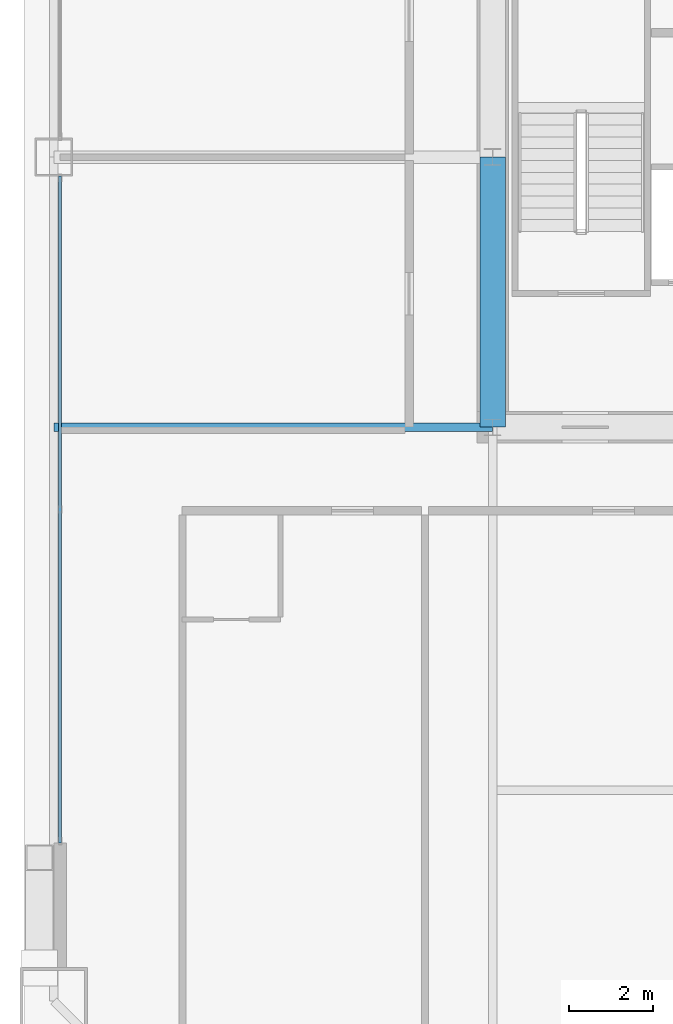
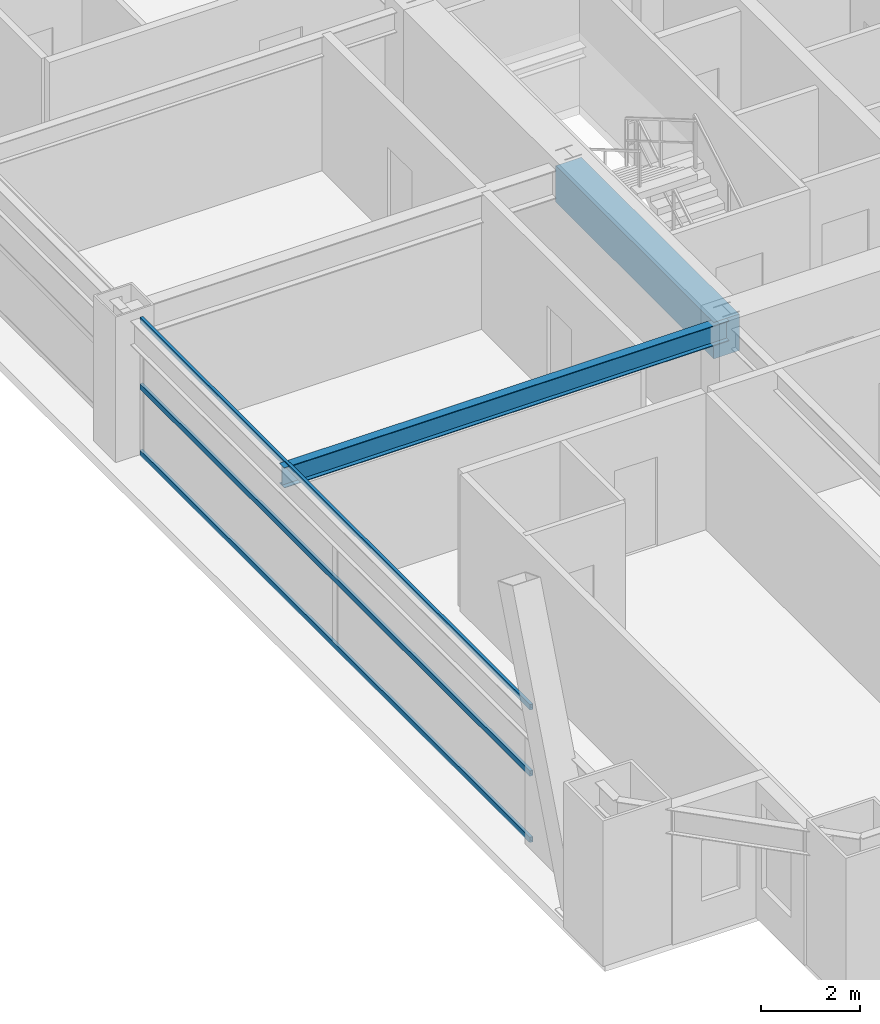
# One storey, part 12 of 41: 3 members, 2 beams, 1 element without a shape of its own.
"""IFC4 building model written with IfcOpenShell, lengths in metres."""

from ifc_helpers import new_model, si_unit, direction, frame, origin, origin_2d, place, context, subcontext, project, spatial, rectangle, hollow_rectangle, i_section, extrude, source, transform, mapped, material, layer, layer_set, material_profile, profile_set, type_object, element, aggregate, save


model = new_model("IFC4")

# Units and contexts
model_context = context("Model", 3, precision=1e-05, world=origin(), true_north=direction((0.0, 1.0)))
body_context = subcontext(model_context, "Body", "Model", "MODEL_VIEW")
ifc_project = project(units=[si_unit("LENGTHUNIT", "METRE"), si_unit("AREAUNIT", "SQUARE_METRE"), si_unit("VOLUMEUNIT", "CUBIC_METRE"), si_unit("PLANEANGLEUNIT", "RADIAN"), si_unit("MASSUNIT", "GRAM", prefix="KILO"), si_unit("THERMODYNAMICTEMPERATUREUNIT", "KELVIN"), si_unit("POWERUNIT", "WATT")], contexts=[model_context])

# Site, building, storey
site_placement = place(None, origin())
site = spatial("IfcSite", under=ifc_project, at=site_placement, CompositionType="ELEMENT")
building_placement = place(site_placement, origin())
building = spatial("IfcBuilding", under=site, at=building_placement, Name="Yuzanri Waterfront Tower", CompositionType="ELEMENT")
storey_placement = place(building_placement, frame((0.0, 0.0, 152.39990234375)))
storey = spatial("IfcBuildingStorey", under=building, at=storey_placement, Name="L40", CompositionType="ELEMENT", Elevation=152.39990234375)

# Beams
ifc_material_1 = material(Name="Concrete C60", Category="concrete")
ifc_material_profile_1 = material_profile(ifc_material_1, rectangle(XDim=0.60009765625, YDim=0.89990234375, at=origin_2d()), Name="RC 600x900")
ifc_profile_set_1 = profile_set([ifc_material_profile_1], Name="Concrete C60")
beam_type_1 = type_object("IfcBeamType", Name="Core Coupling Lintel Concrete C60 600x900", PredefinedType="LINTEL", material=ifc_profile_set_1)
shared_shape_1 = source(origin(), body_context, "Body", "SweptSolid", [
    extrude(rectangle(XDim=0.60009765625, YDim=0.89990234375, at=origin_2d()), origin(), (0.0, 0.0, 1.0), 6.400146484375),
])
beam_1_placement = place(storey_placement, frame((23.800048828125, 19.39990234375, 2.93017578125), z_axis=(0.0, 1.0, 0.0), x_axis=(-1.0, 0.0, 0.0)))
element("IfcBeam", 1, at=beam_1_placement, inside=storey, type_object=beam_type_1, Name="L40 Core Tie Beam CW1", PredefinedType="LINTEL", context=body_context, shape_type="MappedRepresentation", body=[
    mapped(shared_shape_1, transform((0.0, 0.0, 0.0), scale=1.0)),
])
ifc_material_2 = material(Name="Steel Q355B", Category="steel")
ifc_material_profile_2 = material_profile(ifc_material_2, i_section(OverallWidth=0.199951171875, OverallDepth=0.5, WebThickness=0.010009765625, FlangeThickness=0.01611328125, at=origin_2d()), Name="HN 500x200x10x16")
ifc_profile_set_2 = profile_set([ifc_material_profile_2], Name="Steel Q355B")
beam_type_2 = type_object("IfcBeamType", Name="Secondary Floor Beam Q355B HN 500x200", PredefinedType="BEAM", material=ifc_profile_set_2)
shared_shape_2 = source(origin(), body_context, "Body", "SweptSolid", [
    extrude(i_section(OverallWidth=0.199951171875, OverallDepth=0.5, WebThickness=0.010009765625, FlangeThickness=0.01611328125, at=origin_2d()), origin(), (0.0, 0.0, 1.0), 10.400146484375),
])
beam_2_placement = place(storey_placement, frame((23.800048828125, 19.39990234375, 3.130126953125), z_axis=(-1.0, 0.0, 0.0), x_axis=(0.0, -1.0, 0.0)))
element("IfcBeam", 2, at=beam_2_placement, inside=storey, type_object=beam_type_2, Name="L40 West-South Core Line Beam", PredefinedType="BEAM", context=body_context, shape_type="MappedRepresentation", body=[
    mapped(shared_shape_2, transform((0.0, 0.0, 0.0), scale=1.0)),
])

# Curtain wall, members
ifc_material_3 = material(Name="Anodized Architectural Bronze", Category="metal")
ifc_layer = layer(ifc_material_3, 0.159912109375)
ifc_layer_set = layer_set([ifc_layer], Name="Anodized Architectural Bronze")
curtain_wall_type = type_object("IfcCurtainWallType", Name="Anodized Bronze Hotel Upper-Tier Solar-Control Unitized Curtain Wall 7800", PredefinedType="NOTDEFINED", material=ifc_layer_set)
curtain_wall_placement = place(storey_placement, origin())
curtain_wall = element("IfcCurtainWall", 3, at=curtain_wall_placement, inside=storey, type_object=curtain_wall_type, Name="L40 Curtain Wall CW-L40-WL", PredefinedType="NOTDEFINED")
ifc_material_4 = material(Name="Anodized Architectural Bronze", Category="metal")
ifc_material_profile_3 = material_profile(ifc_material_4, hollow_rectangle(XDim=0.070068359375, YDim=0.135009765625, WallThickness=0.00341796875, at=origin_2d()), Name="CWT 70x135")
ifc_profile_set_3 = profile_set([ifc_material_profile_3], Name="Anodized Architectural Bronze")
member_type = type_object("IfcMemberType", Name="Anodized Bronze Standard Curtain-Wall Transom 70x135", PredefinedType="USERDEFINED", material=ifc_profile_set_3)
shared_shape_3 = source(origin(), body_context, "Body", "SweptSolid", [
    extrude(hollow_rectangle(XDim=0.070068359375, YDim=0.135009765625, WallThickness=0.00341796875, at=origin_2d()), origin(), (0.0, 0.0, 1.0), 15.800048828125),
])
member_1_placement = place(storey_placement, frame((13.550048828125, 9.550048828125, 0.050048828125), z_axis=(0.0, 1.0, 0.0), x_axis=(-1.0, 0.0, 0.0)))
member_1 = element("IfcMember", 4, at=member_1_placement, type_object=member_type, Name="CW-L40-WL Transom 1", ObjectType="TRANSOM", PredefinedType="USERDEFINED", context=body_context, shape_type="MappedRepresentation", body=[
    mapped(shared_shape_3, transform((0.0, 0.0, 0.0), scale=1.0)),
])
member_2_placement = place(storey_placement, frame((13.550048828125, 9.550048828125, 1.690185546875), z_axis=(0.0, 1.0, 0.0), x_axis=(-1.0, 0.0, 0.0)))
member_2 = element("IfcMember", 5, at=member_2_placement, type_object=member_type, Name="CW-L40-WL Transom 2", ObjectType="TRANSOM", PredefinedType="USERDEFINED", context=body_context, shape_type="MappedRepresentation", body=[
    mapped(shared_shape_3, transform((0.0, 0.0, 0.0), scale=1.0)),
])
member_3_placement = place(storey_placement, frame((13.550048828125, 9.550048828125, 3.330078125), z_axis=(0.0, 1.0, 0.0), x_axis=(-1.0, 0.0, 0.0)))
member_3 = element("IfcMember", 6, at=member_3_placement, type_object=member_type, Name="CW-L40-WL Transom 3", ObjectType="TRANSOM", PredefinedType="USERDEFINED", context=body_context, shape_type="MappedRepresentation", body=[
    mapped(shared_shape_3, transform((0.0, 0.0, 0.0), scale=1.0)),
])
aggregate(curtain_wall, [member_1, member_2, member_3])

save(model, "model.ifc")
